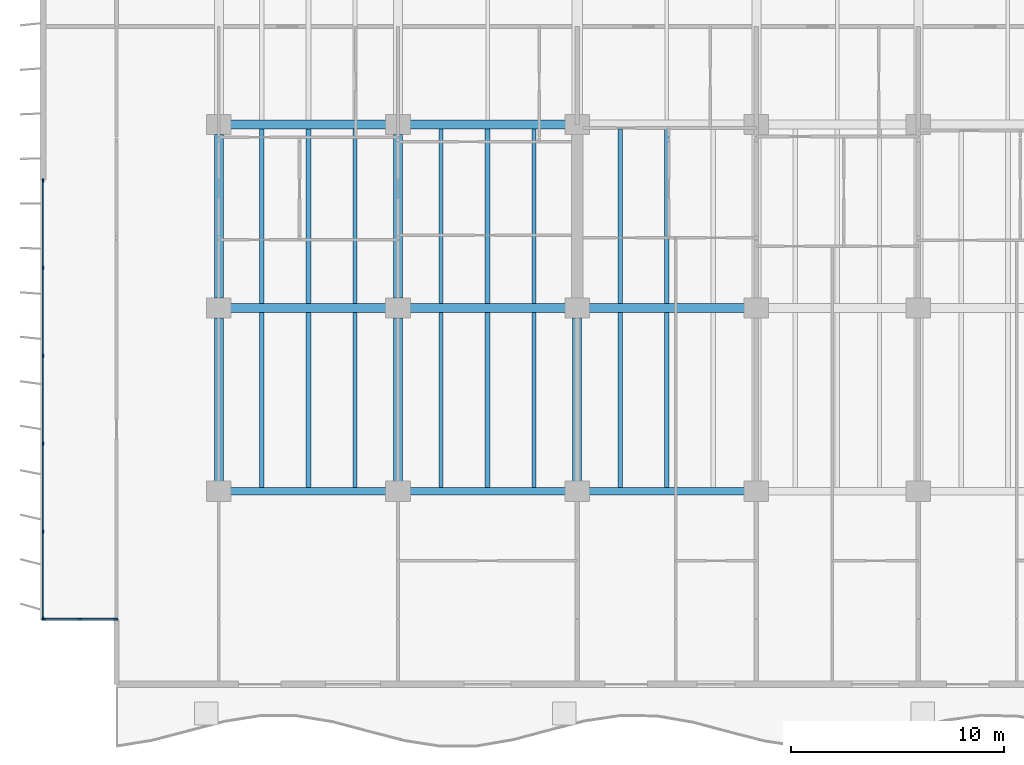
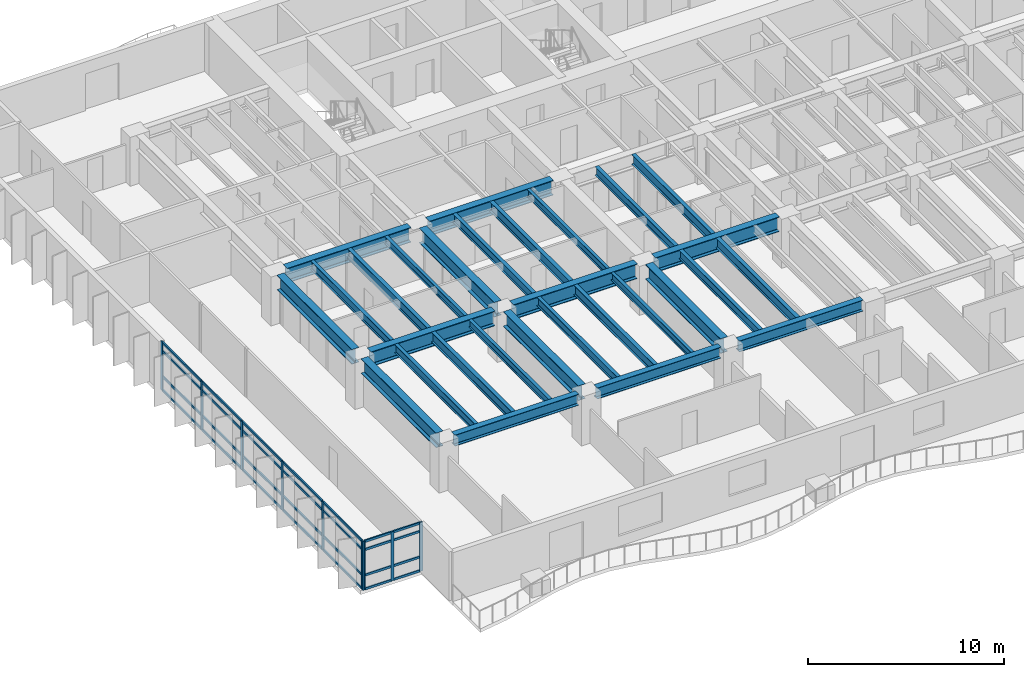
# One storey, part 2 of 18: 37 members, 29 beams, 2 elements without a shape of their own.
"""IFC4 building model written with IfcOpenShell, lengths in metres."""

from ifc_helpers import new_model, si_unit, direction, frame, origin, origin_2d, place, context, subcontext, project, spatial, rectangle, i_section, extrude, material, layer, layer_set, material_profile, profile_set, type_object, element, aggregate, save


model = new_model("IFC4")

# Units and contexts
model_context = context("Model", 3, precision=1e-05, world=origin(), true_north=direction((0.0, 1.0)))
body_context = subcontext(model_context, "Body", "Model", "MODEL_VIEW")
ifc_project = project(units=[si_unit("LENGTHUNIT", "METRE"), si_unit("AREAUNIT", "SQUARE_METRE"), si_unit("VOLUMEUNIT", "CUBIC_METRE"), si_unit("PLANEANGLEUNIT", "RADIAN"), si_unit("MASSUNIT", "GRAM", prefix="KILO")], contexts=[model_context])

# Site, building, storey
site_placement = place(None, origin())
site = spatial("IfcSite", under=ifc_project, at=site_placement, CompositionType="ELEMENT")
building_placement = place(site_placement, origin())
building = spatial("IfcBuilding", under=site, at=building_placement, Name="Caelmar Bay Residences", CompositionType="ELEMENT")
storey_placement = place(building_placement, frame((0.0, 0.0, 39.89990234375)))
storey = spatial("IfcBuildingStorey", under=building, at=storey_placement, Name="L09", CompositionType="ELEMENT", Elevation=39.89990234375)

# Beams
ifc_material_1 = material(Name="Steel ASTM A992 Grade 50", Category="steel")
ifc_material_profile_1 = material_profile(ifc_material_1, i_section(OverallWidth=0.422119140625, OverallDepth=0.925048828125, WebThickness=0.021240234375, FlangeThickness=0.03662109375, FilletRadius=0.020263671875, at=origin_2d()), Name="W36X262")
ifc_profile_set_1 = profile_set([ifc_material_profile_1], Name="Steel ASTM A992 Grade 50")
beam_type_1 = type_object("IfcBeamType", Name="BM-GRD-W36X262", PredefinedType="BEAM", material=ifc_profile_set_1)
beam_1_placement = place(storey_placement, frame((10.43994140625, 20.800048828125, 2.587646484375), z_axis=(1.0, 0.0, 0.0), x_axis=(0.0, 1.0, 0.0)))
element("IfcBeam", 1, at=beam_1_placement, inside=storey, type_object=beam_type_1, Name="L09 East-West Girder Y=20.80 (9.9-18.3)", PredefinedType="BEAM", context=body_context, shape_type="SweptSolid", body=[
    extrude(i_section(OverallWidth=0.422119140625, OverallDepth=0.925048828125, WebThickness=0.021240234375, FlangeThickness=0.03662109375, FilletRadius=0.020263671875, at=origin_2d()), origin(), (0.0, 0.0, 1.0), 7.320068359375),
])
beam_2_placement = place(storey_placement, frame((18.840087890625, 20.800048828125, 2.587646484375), z_axis=(1.0, 0.0, 0.0), x_axis=(0.0, 1.0, 0.0)))
element("IfcBeam", 2, at=beam_2_placement, inside=storey, type_object=beam_type_1, Name="L09 East-West Girder Y=20.80 (18.3-26.7)", PredefinedType="BEAM", context=body_context, shape_type="SweptSolid", body=[
    extrude(i_section(OverallWidth=0.422119140625, OverallDepth=0.925048828125, WebThickness=0.021240234375, FlangeThickness=0.03662109375, FilletRadius=0.020263671875, at=origin_2d()), origin(), (0.0, 0.0, 1.0), 7.31982421875),
])
for number, where, z_axis, x_axis, name in (
    (3, (27.239990234375, 20.800048828125, 2.587646484375), (1.0, 0.0, 0.0), (0.0, 1.0, 0.0), "L09 East-West Girder Y=20.80 (26.7-35.1)"),
    (4, (10.43994140625, 29.39990234375, 2.587646484375), (1.0, 0.0, 0.0), (0.0, 1.0, 0.0), "L09 East-West Girder Y=29.40 (9.9-18.3)"),
):
    element("IfcBeam", number, at=place(storey_placement, frame(where, z_axis=z_axis, x_axis=x_axis)), inside=storey, type_object=beam_type_1, Name=name, PredefinedType="BEAM", context=body_context, shape_type="SweptSolid", body=[
        extrude(i_section(OverallWidth=0.422119140625, OverallDepth=0.925048828125, WebThickness=0.021240234375, FlangeThickness=0.03662109375, FilletRadius=0.020263671875, at=origin_2d()), origin(), (0.0, 0.0, 1.0), 7.320068359375),
    ])
beam_3_placement = place(storey_placement, frame((18.840087890625, 29.39990234375, 2.587646484375), z_axis=(1.0, 0.0, 0.0), x_axis=(0.0, 1.0, 0.0)))
element("IfcBeam", 5, at=beam_3_placement, inside=storey, type_object=beam_type_1, Name="L09 East-West Girder Y=29.40 (18.3-26.7)", PredefinedType="BEAM", context=body_context, shape_type="SweptSolid", body=[
    extrude(i_section(OverallWidth=0.422119140625, OverallDepth=0.925048828125, WebThickness=0.021240234375, FlangeThickness=0.03662109375, FilletRadius=0.020263671875, at=origin_2d()), origin(), (0.0, 0.0, 1.0), 7.31982421875),
])
beam_4_placement = place(storey_placement, frame((9.89990234375, 12.6650390625, 2.587646484375), z_axis=(0.0, 1.0, 0.0), x_axis=(-1.0, 0.0, 0.0)))
element("IfcBeam", 6, at=beam_4_placement, inside=storey, type_object=beam_type_1, Name="L09 North-South Girder X=9.90 (12.2-20.8)", PredefinedType="BEAM", context=body_context, shape_type="SweptSolid", body=[
    extrude(i_section(OverallWidth=0.422119140625, OverallDepth=0.925048828125, WebThickness=0.021240234375, FlangeThickness=0.03662109375, FilletRadius=0.020263671875, at=origin_2d()), origin(), (0.0, 0.0, 1.0), 7.669921875),
])
beam_5_placement = place(storey_placement, frame((9.89990234375, 21.264892578125, 2.587646484375), z_axis=(0.0, 1.0, 0.0), x_axis=(-1.0, 0.0, 0.0)))
element("IfcBeam", 7, at=beam_5_placement, inside=storey, type_object=beam_type_1, Name="L09 North-South Girder X=9.90 (20.8-29.4)", PredefinedType="BEAM", context=body_context, shape_type="SweptSolid", body=[
    extrude(i_section(OverallWidth=0.422119140625, OverallDepth=0.925048828125, WebThickness=0.021240234375, FlangeThickness=0.03662109375, FilletRadius=0.020263671875, at=origin_2d()), origin(), (0.0, 0.0, 1.0), 7.670166015625),
])
beam_6_placement = place(storey_placement, frame((18.300048828125, 12.6650390625, 2.587646484375), z_axis=(0.0, 1.0, 0.0), x_axis=(-1.0, 0.0, 0.0)))
element("IfcBeam", 8, at=beam_6_placement, inside=storey, type_object=beam_type_1, Name="L09 North-South Girder X=18.30 (12.2-20.8)", PredefinedType="BEAM", context=body_context, shape_type="SweptSolid", body=[
    extrude(i_section(OverallWidth=0.422119140625, OverallDepth=0.925048828125, WebThickness=0.021240234375, FlangeThickness=0.03662109375, FilletRadius=0.020263671875, at=origin_2d()), origin(), (0.0, 0.0, 1.0), 7.669921875),
])
beam_7_placement = place(storey_placement, frame((18.300048828125, 21.264892578125, 2.587646484375), z_axis=(0.0, 1.0, 0.0), x_axis=(-1.0, 0.0, 0.0)))
element("IfcBeam", 9, at=beam_7_placement, inside=storey, type_object=beam_type_1, Name="L09 North-South Girder X=18.30 (20.8-29.4)", PredefinedType="BEAM", context=body_context, shape_type="SweptSolid", body=[
    extrude(i_section(OverallWidth=0.422119140625, OverallDepth=0.925048828125, WebThickness=0.021240234375, FlangeThickness=0.03662109375, FilletRadius=0.020263671875, at=origin_2d()), origin(), (0.0, 0.0, 1.0), 7.670166015625),
])
beam_8_placement = place(storey_placement, frame((26.699951171875, 12.6650390625, 2.587646484375), z_axis=(0.0, 1.0, 0.0), x_axis=(-1.0, 0.0, 0.0)))
element("IfcBeam", 10, at=beam_8_placement, inside=storey, type_object=beam_type_1, Name="L09 North-South Girder X=26.70 (12.2-20.8)", PredefinedType="BEAM", context=body_context, shape_type="SweptSolid", body=[
    extrude(i_section(OverallWidth=0.422119140625, OverallDepth=0.925048828125, WebThickness=0.021240234375, FlangeThickness=0.03662109375, FilletRadius=0.020263671875, at=origin_2d()), origin(), (0.0, 0.0, 1.0), 7.669921875),
])
ifc_material_profile_2 = material_profile(ifc_material_1, i_section(OverallWidth=0.19091796875, OverallDepth=0.45703125, WebThickness=0.009033203125, FlangeThickness=0.014404296875, FilletRadius=0.01025390625, at=origin_2d()), Name="W18X50")
ifc_profile_set_2 = profile_set([ifc_material_profile_2], Name="Steel ASTM A992 Grade 50")
beam_type_2 = type_object("IfcBeamType", Name="BM-JST-W18X50", PredefinedType="JOIST", material=ifc_profile_set_2)
for number, where, z_axis, x_axis, name in (
    (11, (16.283935546875, 12.3779296875, 2.821533203125), (0.0, 1.0, 0.0), (-1.0, 0.0, 0.0), "L09 Composite Floor Joist 3"),
    (12, (24.68408203125, 12.3779296875, 2.821533203125), (0.0, 1.0, 0.0), (-1.0, 0.0, 0.0), "L09 Composite Floor Joist 6"),
):
    element("IfcBeam", number, at=place(storey_placement, frame(where, z_axis=z_axis, x_axis=x_axis)), inside=storey, type_object=beam_type_2, Name=name, PredefinedType="JOIST", context=body_context, shape_type="SweptSolid", body=[
        extrude(i_section(OverallWidth=0.19091796875, OverallDepth=0.45703125, WebThickness=0.009033203125, FlangeThickness=0.014404296875, FilletRadius=0.01025390625, at=origin_2d()), origin(), (0.0, 0.0, 1.0), 8.211181640625),
    ])
for number, where, z_axis, x_axis, name in (
    (13, (16.283935546875, 21.010986328125, 2.821533203125), (0.0, 1.0, 0.0), (-1.0, 0.0, 0.0), "L09 Composite Floor Joist 24"),
    (14, (24.68408203125, 21.010986328125, 2.821533203125), (0.0, 1.0, 0.0), (-1.0, 0.0, 0.0), "L09 Composite Floor Joist 27"),
):
    element("IfcBeam", number, at=place(storey_placement, frame(where, z_axis=z_axis, x_axis=x_axis)), inside=storey, type_object=beam_type_2, Name=name, PredefinedType="JOIST", context=body_context, shape_type="SweptSolid", body=[
        extrude(i_section(OverallWidth=0.19091796875, OverallDepth=0.45703125, WebThickness=0.009033203125, FlangeThickness=0.014404296875, FilletRadius=0.01025390625, at=origin_2d()), origin(), (0.0, 0.0, 1.0), 8.177978515625),
    ])
ifc_material_profile_3 = material_profile(ifc_material_1, i_section(OverallWidth=0.2099609375, OverallDepth=0.535888671875, WebThickness=0.010986328125, FlangeThickness=0.017333984375, FilletRadius=0.0126953125, at=origin_2d()), Name="W21X68")
ifc_profile_set_3 = profile_set([ifc_material_profile_3], Name="Steel ASTM A992 Grade 50")
beam_type_3 = type_object("IfcBeamType", Name="BM-JST-W21X68", PredefinedType="JOIST", material=ifc_profile_set_3)
for number, where, z_axis, x_axis, name in (
    (15, (11.916015625, 12.3779296875, 2.781982421875), (0.0, 1.0, 0.0), (-1.0, 0.0, 0.0), "L09 Composite Floor Joist 1"),
    (16, (20.31591796875, 12.3779296875, 2.781982421875), (0.0, 1.0, 0.0), (-1.0, 0.0, 0.0), "L09 Composite Floor Joist 4"),
    (17, (28.716064453125, 12.3779296875, 2.781982421875), (0.0, 1.0, 0.0), (-1.0, 0.0, 0.0), "L09 Composite Floor Joist 7"),
):
    element("IfcBeam", number, at=place(storey_placement, frame(where, z_axis=z_axis, x_axis=x_axis)), inside=storey, type_object=beam_type_3, Name=name, PredefinedType="JOIST", context=body_context, shape_type="SweptSolid", body=[
        extrude(i_section(OverallWidth=0.2099609375, OverallDepth=0.535888671875, WebThickness=0.010986328125, FlangeThickness=0.017333984375, FilletRadius=0.0126953125, at=origin_2d()), origin(), (0.0, 0.0, 1.0), 8.211181640625),
    ])
for number, where, z_axis, x_axis, name in (
    (18, (11.916015625, 21.010986328125, 2.781982421875), (0.0, 1.0, 0.0), (-1.0, 0.0, 0.0), "L09 Composite Floor Joist 22"),
    (19, (20.31591796875, 21.010986328125, 2.781982421875), (0.0, 1.0, 0.0), (-1.0, 0.0, 0.0), "L09 Composite Floor Joist 25"),
    (20, (28.716064453125, 21.010986328125, 2.781982421875), (0.0, 1.0, 0.0), (-1.0, 0.0, 0.0), "L09 Composite Floor Joist 28"),
):
    element("IfcBeam", number, at=place(storey_placement, frame(where, z_axis=z_axis, x_axis=x_axis)), inside=storey, type_object=beam_type_3, Name=name, PredefinedType="JOIST", context=body_context, shape_type="SweptSolid", body=[
        extrude(i_section(OverallWidth=0.2099609375, OverallDepth=0.535888671875, WebThickness=0.010986328125, FlangeThickness=0.017333984375, FilletRadius=0.0126953125, at=origin_2d()), origin(), (0.0, 0.0, 1.0), 8.177978515625),
    ])
ifc_material_profile_4 = material_profile(ifc_material_1, i_section(OverallWidth=0.22900390625, OverallDepth=0.612060546875, WebThickness=0.011962890625, FlangeThickness=0.01953125, FilletRadius=0.0126953125, at=origin_2d()), Name="W24X84")
ifc_profile_set_4 = profile_set([ifc_material_profile_4], Name="Steel ASTM A992 Grade 50")
beam_type_4 = type_object("IfcBeamType", Name="BM-JST-W24X84", PredefinedType="JOIST", material=ifc_profile_set_4)
for number, where, z_axis, x_axis, name in (
    (21, (14.10009765625, 12.3779296875, 2.744140625), (0.0, 1.0, 0.0), (-1.0, 0.0, 0.0), "L09 Composite Floor Joist 2"),
    (22, (22.5, 12.3779296875, 2.744140625), (0.0, 1.0, 0.0), (-1.0, 0.0, 0.0), "L09 Composite Floor Joist 5"),
    (23, (30.89990234375, 12.3779296875, 2.744140625), (0.0, 1.0, 0.0), (-1.0, 0.0, 0.0), "L09 Composite Floor Joist 8"),
):
    element("IfcBeam", number, at=place(storey_placement, frame(where, z_axis=z_axis, x_axis=x_axis)), inside=storey, type_object=beam_type_4, Name=name, PredefinedType="JOIST", context=body_context, shape_type="SweptSolid", body=[
        extrude(i_section(OverallWidth=0.22900390625, OverallDepth=0.612060546875, WebThickness=0.011962890625, FlangeThickness=0.01953125, FilletRadius=0.0126953125, at=origin_2d()), origin(), (0.0, 0.0, 1.0), 8.211181640625),
    ])
for number, where, z_axis, x_axis, name in (
    (24, (14.10009765625, 21.010986328125, 2.744140625), (0.0, 1.0, 0.0), (-1.0, 0.0, 0.0), "L09 Composite Floor Joist 23"),
    (25, (22.5, 21.010986328125, 2.744140625), (0.0, 1.0, 0.0), (-1.0, 0.0, 0.0), "L09 Composite Floor Joist 26"),
    (26, (30.89990234375, 21.010986328125, 2.744140625), (0.0, 1.0, 0.0), (-1.0, 0.0, 0.0), "L09 Composite Floor Joist 29"),
):
    element("IfcBeam", number, at=place(storey_placement, frame(where, z_axis=z_axis, x_axis=x_axis)), inside=storey, type_object=beam_type_4, Name=name, PredefinedType="JOIST", context=body_context, shape_type="SweptSolid", body=[
        extrude(i_section(OverallWidth=0.22900390625, OverallDepth=0.612060546875, WebThickness=0.011962890625, FlangeThickness=0.01953125, FilletRadius=0.0126953125, at=origin_2d()), origin(), (0.0, 0.0, 1.0), 8.177978515625),
    ])
ifc_material_profile_5 = material_profile(ifc_material_1, i_section(OverallWidth=0.35595703125, OverallDepth=0.696044921875, WebThickness=0.015380859375, FlangeThickness=0.02490234375, FilletRadius=0.01513671875, at=origin_2d()), Name="W27X146")
ifc_profile_set_5 = profile_set([ifc_material_profile_5], Name="Steel ASTM A992 Grade 50")
beam_type_5 = type_object("IfcBeamType", Name="BM-SPN-W27X146", PredefinedType="SPANDREL", material=ifc_profile_set_5)
beam_9_placement = place(storey_placement, frame((10.43994140625, 12.199951171875, 2.7021484375), z_axis=(1.0, 0.0, 0.0), x_axis=(0.0, 1.0, 0.0)))
element("IfcBeam", 27, at=beam_9_placement, inside=storey, type_object=beam_type_5, Name="L09 East-West Girder Y=12.20 (9.9-18.3)", PredefinedType="SPANDREL", context=body_context, shape_type="SweptSolid", body=[
    extrude(i_section(OverallWidth=0.35595703125, OverallDepth=0.696044921875, WebThickness=0.015380859375, FlangeThickness=0.02490234375, FilletRadius=0.01513671875, at=origin_2d()), origin(), (0.0, 0.0, 1.0), 7.320068359375),
])
beam_10_placement = place(storey_placement, frame((18.840087890625, 12.199951171875, 2.7021484375), z_axis=(1.0, 0.0, 0.0), x_axis=(0.0, 1.0, 0.0)))
element("IfcBeam", 28, at=beam_10_placement, inside=storey, type_object=beam_type_5, Name="L09 East-West Girder Y=12.20 (18.3-26.7)", PredefinedType="SPANDREL", context=body_context, shape_type="SweptSolid", body=[
    extrude(i_section(OverallWidth=0.35595703125, OverallDepth=0.696044921875, WebThickness=0.015380859375, FlangeThickness=0.02490234375, FilletRadius=0.01513671875, at=origin_2d()), origin(), (0.0, 0.0, 1.0), 7.31982421875),
])
beam_11_placement = place(storey_placement, frame((27.239990234375, 12.199951171875, 2.7021484375), z_axis=(1.0, 0.0, 0.0), x_axis=(0.0, 1.0, 0.0)))
element("IfcBeam", 29, at=beam_11_placement, inside=storey, type_object=beam_type_5, Name="L09 East-West Girder Y=12.20 (26.7-35.1)", PredefinedType="SPANDREL", context=body_context, shape_type="SweptSolid", body=[
    extrude(i_section(OverallWidth=0.35595703125, OverallDepth=0.696044921875, WebThickness=0.015380859375, FlangeThickness=0.02490234375, FilletRadius=0.01513671875, at=origin_2d()), origin(), (0.0, 0.0, 1.0), 7.320068359375),
])

# Curtain wall, members
ifc_material_2 = material(Name="Anodised bronze aluminium 6063-T6 and laminated glass", Category="aluminium")
ifc_layer_1 = layer(ifc_material_2, 0.179931640625)
ifc_layer_set_1 = layer_set([ifc_layer_1], Name="Anodised bronze aluminium 6063-T6 and laminated glass")
curtain_wall_type_1 = type_object("IfcCurtainWallType", Name="CW6-NTC", PredefinedType="NOTDEFINED", material=ifc_layer_set_1)
curtain_wall_1_placement = place(storey_placement, origin())
curtain_wall_1 = element("IfcCurtainWall", 30, at=curtain_wall_1_placement, inside=storey, type_object=curtain_wall_type_1, Name="CW6 curtain wall L09", PredefinedType="NOTDEFINED")
ifc_material_3 = material(Name="Anodised bronze aluminium 6063-T6", Category="aluminium")
ifc_material_profile_6 = material_profile(ifc_material_3, rectangle(XDim=0.080078125, YDim=0.179931640625, at=origin_2d()), Name="CWM-80X180")
ifc_profile_set_6 = profile_set([ifc_material_profile_6], Name="Anodised bronze aluminium 6063-T6")
member_type_1 = type_object("IfcMemberType", Name="CWM-180", PredefinedType="MULLION", material=ifc_profile_set_6)
member_1_placement = place(storey_placement, frame((1.68994140625, 6.199951171875, 0.0), z_axis=(0.0, 0.0, 1.0), x_axis=(0.0, 1.0, 0.0)))
member_1 = element("IfcMember", 31, at=member_1_placement, type_object=member_type_1, Name="CW6 mullion 1", PredefinedType="MULLION", context=body_context, shape_type="SweptSolid", body=[
    extrude(rectangle(XDim=0.080078125, YDim=0.179931640625, at=origin_2d()), origin(), (0.0, 0.0, 1.0), 3.050048828125),
])
member_2_placement = place(storey_placement, frame((3.375, 6.199951171875, 0.0), z_axis=(0.0, 0.0, 1.0), x_axis=(0.0, 1.0, 0.0)))
member_2 = element("IfcMember", 32, at=member_2_placement, type_object=member_type_1, Name="CW6 mullion 2", PredefinedType="MULLION", context=body_context, shape_type="SweptSolid", body=[
    extrude(rectangle(XDim=0.080078125, YDim=0.179931640625, at=origin_2d()), origin(), (0.0, 0.0, 1.0), 3.050048828125),
])
member_3_placement = place(storey_placement, frame((5.06005859375, 6.199951171875, 0.0), z_axis=(0.0, 0.0, 1.0), x_axis=(0.0, 1.0, 0.0)))
member_3 = element("IfcMember", 33, at=member_3_placement, type_object=member_type_1, Name="CW6 mullion 3", PredefinedType="MULLION", context=body_context, shape_type="SweptSolid", body=[
    extrude(rectangle(XDim=0.080078125, YDim=0.179931640625, at=origin_2d()), origin(), (0.0, 0.0, 1.0), 3.050048828125),
])

ifc_layer_2 = layer(ifc_material_2, 0.179931640625)
ifc_layer_set_2 = layer_set([ifc_layer_2], Name="Anodised bronze aluminium 6063-T6 and laminated glass")
curtain_wall_type_2 = type_object("IfcCurtainWallType", Name="CW2-Z1", PredefinedType="NOTDEFINED", material=ifc_layer_set_2)
curtain_wall_2_placement = place(storey_placement, origin())
curtain_wall_2 = element("IfcCurtainWall", 34, at=curtain_wall_2_placement, inside=storey, type_object=curtain_wall_type_2, Name="CW2 curtain wall L09", PredefinedType="NOTDEFINED")
member_4_placement = place(storey_placement, frame((1.64990234375, 6.239990234375, 0.0), z_axis=(0.0, 0.0, 1.0), x_axis=(-1.0, 0.0, 0.0)))
member_4 = element("IfcMember", 35, at=member_4_placement, type_object=member_type_1, Name="CW2 mullion 1", PredefinedType="MULLION", context=body_context, shape_type="SweptSolid", body=[
    extrude(rectangle(XDim=0.080078125, YDim=0.179931640625, at=origin_2d()), origin(), (0.0, 0.0, 1.0), 3.050048828125),
])
member_5_placement = place(storey_placement, frame((1.64990234375, 10.320068359375, 0.0), z_axis=(0.0, 0.0, 1.0), x_axis=(-1.0, 0.0, 0.0)))
member_5 = element("IfcMember", 36, at=member_5_placement, type_object=member_type_1, Name="CW2 mullion 2", PredefinedType="MULLION", context=body_context, shape_type="SweptSolid", body=[
    extrude(rectangle(XDim=0.080078125, YDim=0.179931640625, at=origin_2d()), origin(), (0.0, 0.0, 1.0), 3.050048828125),
])
member_6_placement = place(storey_placement, frame((1.64990234375, 14.43994140625, 0.0), z_axis=(0.0, 0.0, 1.0), x_axis=(-1.0, 0.0, 0.0)))
member_6 = element("IfcMember", 37, at=member_6_placement, type_object=member_type_1, Name="CW2 mullion 3", PredefinedType="MULLION", context=body_context, shape_type="SweptSolid", body=[
    extrude(rectangle(XDim=0.080078125, YDim=0.179931640625, at=origin_2d()), origin(), (0.0, 0.0, 1.0), 3.050048828125),
])
member_7_placement = place(storey_placement, frame((1.64990234375, 18.56005859375, 0.0), z_axis=(0.0, 0.0, 1.0), x_axis=(-1.0, 0.0, 0.0)))
member_7 = element("IfcMember", 38, at=member_7_placement, type_object=member_type_1, Name="CW2 mullion 4", PredefinedType="MULLION", context=body_context, shape_type="SweptSolid", body=[
    extrude(rectangle(XDim=0.080078125, YDim=0.179931640625, at=origin_2d()), origin(), (0.0, 0.0, 1.0), 3.050048828125),
])
member_8_placement = place(storey_placement, frame((1.64990234375, 22.679931640625, 0.0), z_axis=(0.0, 0.0, 1.0), x_axis=(-1.0, 0.0, 0.0)))
member_8 = element("IfcMember", 39, at=member_8_placement, type_object=member_type_1, Name="CW2 mullion 5", PredefinedType="MULLION", context=body_context, shape_type="SweptSolid", body=[
    extrude(rectangle(XDim=0.080078125, YDim=0.179931640625, at=origin_2d()), origin(), (0.0, 0.0, 1.0), 3.050048828125),
])
member_9_placement = place(storey_placement, frame((1.64990234375, 26.760009765625, 0.0), z_axis=(0.0, 0.0, 1.0), x_axis=(-1.0, 0.0, 0.0)))
member_9 = element("IfcMember", 40, at=member_9_placement, type_object=member_type_1, Name="CW2 mullion 6", PredefinedType="MULLION", context=body_context, shape_type="SweptSolid", body=[
    extrude(rectangle(XDim=0.080078125, YDim=0.179931640625, at=origin_2d()), origin(), (0.0, 0.0, 1.0), 3.050048828125),
])

# Member
ifc_material_profile_7 = material_profile(ifc_material_3, rectangle(XDim=0.080078125, YDim=0.139892578125, at=origin_2d()), Name="CWT-80X140")
ifc_profile_set_7 = profile_set([ifc_material_profile_7], Name="Anodised bronze aluminium 6063-T6")
member_type_2 = type_object("IfcMemberType", Name="CWT-140", PredefinedType="NOTDEFINED", material=ifc_profile_set_7)
member_10_placement = place(storey_placement, frame((1.72998046875, 6.199951171875, 0.0400390625), z_axis=(1.0, 0.0, 0.0), x_axis=(0.0, 1.0, 0.0)))
member_10 = element("IfcMember", 41, at=member_10_placement, type_object=member_type_2, Name="CW6 transom 1.1", ObjectType="TRANSOM", PredefinedType="USERDEFINED", context=body_context, shape_type="SweptSolid", body=[
    extrude(rectangle(XDim=0.080078125, YDim=0.139892578125, at=origin_2d()), origin(), (0.0, 0.0, 1.0), 1.60498046875),
])

member_11_placement = place(storey_placement, frame((1.72998046875, 6.199951171875, 0.900146484375), z_axis=(1.0, 0.0, 0.0), x_axis=(0.0, 1.0, 0.0)))
member_11 = element("IfcMember", 42, at=member_11_placement, type_object=member_type_2, Name="CW6 transom 1.2", ObjectType="TRANSOM", PredefinedType="USERDEFINED", context=body_context, shape_type="SweptSolid", body=[
    extrude(rectangle(XDim=0.080078125, YDim=0.139892578125, at=origin_2d()), origin(), (0.0, 0.0, 1.0), 1.60498046875),
])

member_12_placement = place(storey_placement, frame((1.72998046875, 6.199951171875, 2.5), z_axis=(1.0, 0.0, 0.0), x_axis=(0.0, 1.0, 0.0)))
member_12 = element("IfcMember", 43, at=member_12_placement, type_object=member_type_2, Name="CW6 transom 1.3", ObjectType="TRANSOM", PredefinedType="USERDEFINED", context=body_context, shape_type="SweptSolid", body=[
    extrude(rectangle(XDim=0.080078125, YDim=0.139892578125, at=origin_2d()), origin(), (0.0, 0.0, 1.0), 1.60498046875),
])

member_13_placement = place(storey_placement, frame((1.72998046875, 6.199951171875, 3.010009765625), z_axis=(1.0, 0.0, 0.0), x_axis=(0.0, 1.0, 0.0)))
member_13 = element("IfcMember", 44, at=member_13_placement, type_object=member_type_2, Name="CW6 transom 1.4", ObjectType="TRANSOM", PredefinedType="USERDEFINED", context=body_context, shape_type="SweptSolid", body=[
    extrude(rectangle(XDim=0.080078125, YDim=0.139892578125, at=origin_2d()), origin(), (0.0, 0.0, 1.0), 1.60498046875),
])

member_14_placement = place(storey_placement, frame((3.4150390625, 6.199951171875, 0.0400390625), z_axis=(1.0, 0.0, 0.0), x_axis=(0.0, 1.0, 0.0)))
member_14 = element("IfcMember", 45, at=member_14_placement, type_object=member_type_2, Name="CW6 transom 2.1", ObjectType="TRANSOM", PredefinedType="USERDEFINED", context=body_context, shape_type="SweptSolid", body=[
    extrude(rectangle(XDim=0.080078125, YDim=0.139892578125, at=origin_2d()), origin(), (0.0, 0.0, 1.0), 1.60498046875),
])

member_15_placement = place(storey_placement, frame((3.4150390625, 6.199951171875, 0.900146484375), z_axis=(1.0, 0.0, 0.0), x_axis=(0.0, 1.0, 0.0)))
member_15 = element("IfcMember", 46, at=member_15_placement, type_object=member_type_2, Name="CW6 transom 2.2", ObjectType="TRANSOM", PredefinedType="USERDEFINED", context=body_context, shape_type="SweptSolid", body=[
    extrude(rectangle(XDim=0.080078125, YDim=0.139892578125, at=origin_2d()), origin(), (0.0, 0.0, 1.0), 1.60498046875),
])

member_16_placement = place(storey_placement, frame((3.4150390625, 6.199951171875, 2.5), z_axis=(1.0, 0.0, 0.0), x_axis=(0.0, 1.0, 0.0)))
member_16 = element("IfcMember", 47, at=member_16_placement, type_object=member_type_2, Name="CW6 transom 2.3", ObjectType="TRANSOM", PredefinedType="USERDEFINED", context=body_context, shape_type="SweptSolid", body=[
    extrude(rectangle(XDim=0.080078125, YDim=0.139892578125, at=origin_2d()), origin(), (0.0, 0.0, 1.0), 1.60498046875),
])

member_17_placement = place(storey_placement, frame((3.4150390625, 6.199951171875, 3.010009765625), z_axis=(1.0, 0.0, 0.0), x_axis=(0.0, 1.0, 0.0)))
member_17 = element("IfcMember", 48, at=member_17_placement, type_object=member_type_2, Name="CW6 transom 2.4", ObjectType="TRANSOM", PredefinedType="USERDEFINED", context=body_context, shape_type="SweptSolid", body=[
    extrude(rectangle(XDim=0.080078125, YDim=0.139892578125, at=origin_2d()), origin(), (0.0, 0.0, 1.0), 1.60498046875),
])

aggregate(curtain_wall_1, [member_1, member_2, member_3, member_10, member_11, member_12, member_13, member_14, member_15, member_16, member_17])

member_18_placement = place(storey_placement, frame((1.64990234375, 6.280029296875, 0.0400390625), z_axis=(0.0, 1.0, 0.0), x_axis=(-1.0, 0.0, 0.0)))
member_18 = element("IfcMember", 49, at=member_18_placement, type_object=member_type_2, Name="CW2 transom 1.1", ObjectType="TRANSOM", PredefinedType="USERDEFINED", context=body_context, shape_type="SweptSolid", body=[
    extrude(rectangle(XDim=0.080078125, YDim=0.139892578125, at=origin_2d()), origin(), (0.0, 0.0, 1.0), 4.0),
])

member_19_placement = place(storey_placement, frame((1.64990234375, 6.280029296875, 0.900146484375), z_axis=(0.0, 1.0, 0.0), x_axis=(-1.0, 0.0, 0.0)))
member_19 = element("IfcMember", 50, at=member_19_placement, type_object=member_type_2, Name="CW2 transom 1.2", ObjectType="TRANSOM", PredefinedType="USERDEFINED", context=body_context, shape_type="SweptSolid", body=[
    extrude(rectangle(XDim=0.080078125, YDim=0.139892578125, at=origin_2d()), origin(), (0.0, 0.0, 1.0), 4.0),
])

member_20_placement = place(storey_placement, frame((1.64990234375, 6.280029296875, 2.5), z_axis=(0.0, 1.0, 0.0), x_axis=(-1.0, 0.0, 0.0)))
member_20 = element("IfcMember", 51, at=member_20_placement, type_object=member_type_2, Name="CW2 transom 1.3", ObjectType="TRANSOM", PredefinedType="USERDEFINED", context=body_context, shape_type="SweptSolid", body=[
    extrude(rectangle(XDim=0.080078125, YDim=0.139892578125, at=origin_2d()), origin(), (0.0, 0.0, 1.0), 4.0),
])

member_21_placement = place(storey_placement, frame((1.64990234375, 6.280029296875, 3.010009765625), z_axis=(0.0, 1.0, 0.0), x_axis=(-1.0, 0.0, 0.0)))
member_21 = element("IfcMember", 52, at=member_21_placement, type_object=member_type_2, Name="CW2 transom 1.4", ObjectType="TRANSOM", PredefinedType="USERDEFINED", context=body_context, shape_type="SweptSolid", body=[
    extrude(rectangle(XDim=0.080078125, YDim=0.139892578125, at=origin_2d()), origin(), (0.0, 0.0, 1.0), 4.0),
])

member_22_placement = place(storey_placement, frame((1.64990234375, 10.360107421875, 0.0400390625), z_axis=(0.0, 1.0, 0.0), x_axis=(-1.0, 0.0, 0.0)))
member_22 = element("IfcMember", 53, at=member_22_placement, type_object=member_type_2, Name="CW2 transom 2.1", ObjectType="TRANSOM", PredefinedType="USERDEFINED", context=body_context, shape_type="SweptSolid", body=[
    extrude(rectangle(XDim=0.080078125, YDim=0.139892578125, at=origin_2d()), origin(), (0.0, 0.0, 1.0), 4.039794921875),
])

member_23_placement = place(storey_placement, frame((1.64990234375, 10.360107421875, 0.900146484375), z_axis=(0.0, 1.0, 0.0), x_axis=(-1.0, 0.0, 0.0)))
member_23 = element("IfcMember", 54, at=member_23_placement, type_object=member_type_2, Name="CW2 transom 2.2", ObjectType="TRANSOM", PredefinedType="USERDEFINED", context=body_context, shape_type="SweptSolid", body=[
    extrude(rectangle(XDim=0.080078125, YDim=0.139892578125, at=origin_2d()), origin(), (0.0, 0.0, 1.0), 4.039794921875),
])

member_24_placement = place(storey_placement, frame((1.64990234375, 10.360107421875, 2.5), z_axis=(0.0, 1.0, 0.0), x_axis=(-1.0, 0.0, 0.0)))
member_24 = element("IfcMember", 55, at=member_24_placement, type_object=member_type_2, Name="CW2 transom 2.3", ObjectType="TRANSOM", PredefinedType="USERDEFINED", context=body_context, shape_type="SweptSolid", body=[
    extrude(rectangle(XDim=0.080078125, YDim=0.139892578125, at=origin_2d()), origin(), (0.0, 0.0, 1.0), 4.039794921875),
])

member_25_placement = place(storey_placement, frame((1.64990234375, 10.360107421875, 3.010009765625), z_axis=(0.0, 1.0, 0.0), x_axis=(-1.0, 0.0, 0.0)))
member_25 = element("IfcMember", 56, at=member_25_placement, type_object=member_type_2, Name="CW2 transom 2.4", ObjectType="TRANSOM", PredefinedType="USERDEFINED", context=body_context, shape_type="SweptSolid", body=[
    extrude(rectangle(XDim=0.080078125, YDim=0.139892578125, at=origin_2d()), origin(), (0.0, 0.0, 1.0), 4.039794921875),
])

member_26_placement = place(storey_placement, frame((1.64990234375, 14.47998046875, 0.0400390625), z_axis=(0.0, 1.0, 0.0), x_axis=(-1.0, 0.0, 0.0)))
member_26 = element("IfcMember", 57, at=member_26_placement, type_object=member_type_2, Name="CW2 transom 3.1", ObjectType="TRANSOM", PredefinedType="USERDEFINED", context=body_context, shape_type="SweptSolid", body=[
    extrude(rectangle(XDim=0.080078125, YDim=0.139892578125, at=origin_2d()), origin(), (0.0, 0.0, 1.0), 4.0400390625),
])

member_27_placement = place(storey_placement, frame((1.64990234375, 14.47998046875, 0.900146484375), z_axis=(0.0, 1.0, 0.0), x_axis=(-1.0, 0.0, 0.0)))
member_27 = element("IfcMember", 58, at=member_27_placement, type_object=member_type_2, Name="CW2 transom 3.2", ObjectType="TRANSOM", PredefinedType="USERDEFINED", context=body_context, shape_type="SweptSolid", body=[
    extrude(rectangle(XDim=0.080078125, YDim=0.139892578125, at=origin_2d()), origin(), (0.0, 0.0, 1.0), 4.0400390625),
])

member_28_placement = place(storey_placement, frame((1.64990234375, 14.47998046875, 2.5), z_axis=(0.0, 1.0, 0.0), x_axis=(-1.0, 0.0, 0.0)))
member_28 = element("IfcMember", 59, at=member_28_placement, type_object=member_type_2, Name="CW2 transom 3.3", ObjectType="TRANSOM", PredefinedType="USERDEFINED", context=body_context, shape_type="SweptSolid", body=[
    extrude(rectangle(XDim=0.080078125, YDim=0.139892578125, at=origin_2d()), origin(), (0.0, 0.0, 1.0), 4.0400390625),
])

member_29_placement = place(storey_placement, frame((1.64990234375, 14.47998046875, 3.010009765625), z_axis=(0.0, 1.0, 0.0), x_axis=(-1.0, 0.0, 0.0)))
member_29 = element("IfcMember", 60, at=member_29_placement, type_object=member_type_2, Name="CW2 transom 3.4", ObjectType="TRANSOM", PredefinedType="USERDEFINED", context=body_context, shape_type="SweptSolid", body=[
    extrude(rectangle(XDim=0.080078125, YDim=0.139892578125, at=origin_2d()), origin(), (0.0, 0.0, 1.0), 4.0400390625),
])

member_30_placement = place(storey_placement, frame((1.64990234375, 18.60009765625, 0.0400390625), z_axis=(0.0, 1.0, 0.0), x_axis=(-1.0, 0.0, 0.0)))
member_30 = element("IfcMember", 61, at=member_30_placement, type_object=member_type_2, Name="CW2 transom 4.1", ObjectType="TRANSOM", PredefinedType="USERDEFINED", context=body_context, shape_type="SweptSolid", body=[
    extrude(rectangle(XDim=0.080078125, YDim=0.139892578125, at=origin_2d()), origin(), (0.0, 0.0, 1.0), 4.039794921875),
])

member_31_placement = place(storey_placement, frame((1.64990234375, 18.60009765625, 0.900146484375), z_axis=(0.0, 1.0, 0.0), x_axis=(-1.0, 0.0, 0.0)))
member_31 = element("IfcMember", 62, at=member_31_placement, type_object=member_type_2, Name="CW2 transom 4.2", ObjectType="TRANSOM", PredefinedType="USERDEFINED", context=body_context, shape_type="SweptSolid", body=[
    extrude(rectangle(XDim=0.080078125, YDim=0.139892578125, at=origin_2d()), origin(), (0.0, 0.0, 1.0), 4.039794921875),
])

member_32_placement = place(storey_placement, frame((1.64990234375, 18.60009765625, 2.5), z_axis=(0.0, 1.0, 0.0), x_axis=(-1.0, 0.0, 0.0)))
member_32 = element("IfcMember", 63, at=member_32_placement, type_object=member_type_2, Name="CW2 transom 4.3", ObjectType="TRANSOM", PredefinedType="USERDEFINED", context=body_context, shape_type="SweptSolid", body=[
    extrude(rectangle(XDim=0.080078125, YDim=0.139892578125, at=origin_2d()), origin(), (0.0, 0.0, 1.0), 4.039794921875),
])

member_33_placement = place(storey_placement, frame((1.64990234375, 18.60009765625, 3.010009765625), z_axis=(0.0, 1.0, 0.0), x_axis=(-1.0, 0.0, 0.0)))
member_33 = element("IfcMember", 64, at=member_33_placement, type_object=member_type_2, Name="CW2 transom 4.4", ObjectType="TRANSOM", PredefinedType="USERDEFINED", context=body_context, shape_type="SweptSolid", body=[
    extrude(rectangle(XDim=0.080078125, YDim=0.139892578125, at=origin_2d()), origin(), (0.0, 0.0, 1.0), 4.039794921875),
])

member_34_placement = place(storey_placement, frame((1.64990234375, 22.719970703125, 0.0400390625), z_axis=(0.0, 1.0, 0.0), x_axis=(-1.0, 0.0, 0.0)))
member_34 = element("IfcMember", 65, at=member_34_placement, type_object=member_type_2, Name="CW2 transom 5.1", ObjectType="TRANSOM", PredefinedType="USERDEFINED", context=body_context, shape_type="SweptSolid", body=[
    extrude(rectangle(XDim=0.080078125, YDim=0.139892578125, at=origin_2d()), origin(), (0.0, 0.0, 1.0), 4.0),
])

member_35_placement = place(storey_placement, frame((1.64990234375, 22.719970703125, 0.900146484375), z_axis=(0.0, 1.0, 0.0), x_axis=(-1.0, 0.0, 0.0)))
member_35 = element("IfcMember", 66, at=member_35_placement, type_object=member_type_2, Name="CW2 transom 5.2", ObjectType="TRANSOM", PredefinedType="USERDEFINED", context=body_context, shape_type="SweptSolid", body=[
    extrude(rectangle(XDim=0.080078125, YDim=0.139892578125, at=origin_2d()), origin(), (0.0, 0.0, 1.0), 4.0),
])

member_36_placement = place(storey_placement, frame((1.64990234375, 22.719970703125, 2.5), z_axis=(0.0, 1.0, 0.0), x_axis=(-1.0, 0.0, 0.0)))
member_36 = element("IfcMember", 67, at=member_36_placement, type_object=member_type_2, Name="CW2 transom 5.3", ObjectType="TRANSOM", PredefinedType="USERDEFINED", context=body_context, shape_type="SweptSolid", body=[
    extrude(rectangle(XDim=0.080078125, YDim=0.139892578125, at=origin_2d()), origin(), (0.0, 0.0, 1.0), 4.0),
])

member_37_placement = place(storey_placement, frame((1.64990234375, 22.719970703125, 3.010009765625), z_axis=(0.0, 1.0, 0.0), x_axis=(-1.0, 0.0, 0.0)))
member_37 = element("IfcMember", 68, at=member_37_placement, type_object=member_type_2, Name="CW2 transom 5.4", ObjectType="TRANSOM", PredefinedType="USERDEFINED", context=body_context, shape_type="SweptSolid", body=[
    extrude(rectangle(XDim=0.080078125, YDim=0.139892578125, at=origin_2d()), origin(), (0.0, 0.0, 1.0), 4.0),
])

aggregate(curtain_wall_2, [member_4, member_5, member_6, member_7, member_8, member_9, member_18, member_19, member_20, member_21, member_22, member_23, member_24, member_25, member_26, member_27, member_28, member_29, member_30, member_31, member_32, member_33, member_34, member_35, member_36, member_37])

save(model, "model.ifc")
